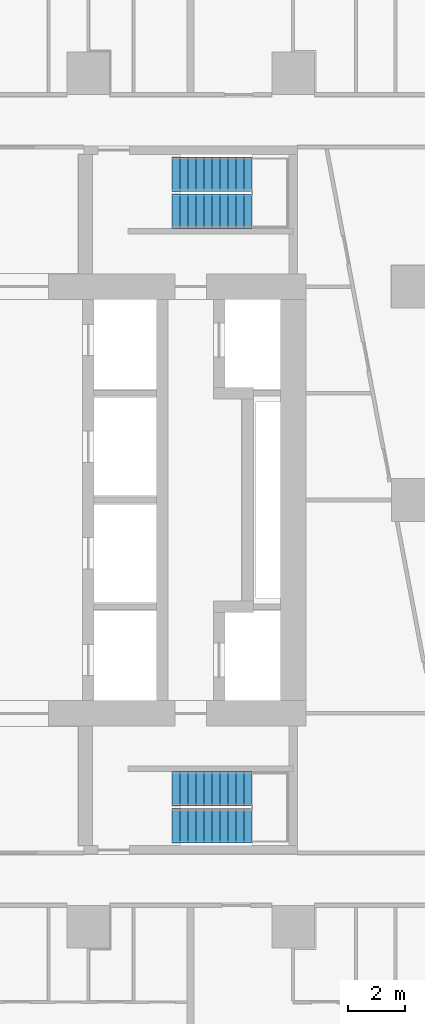
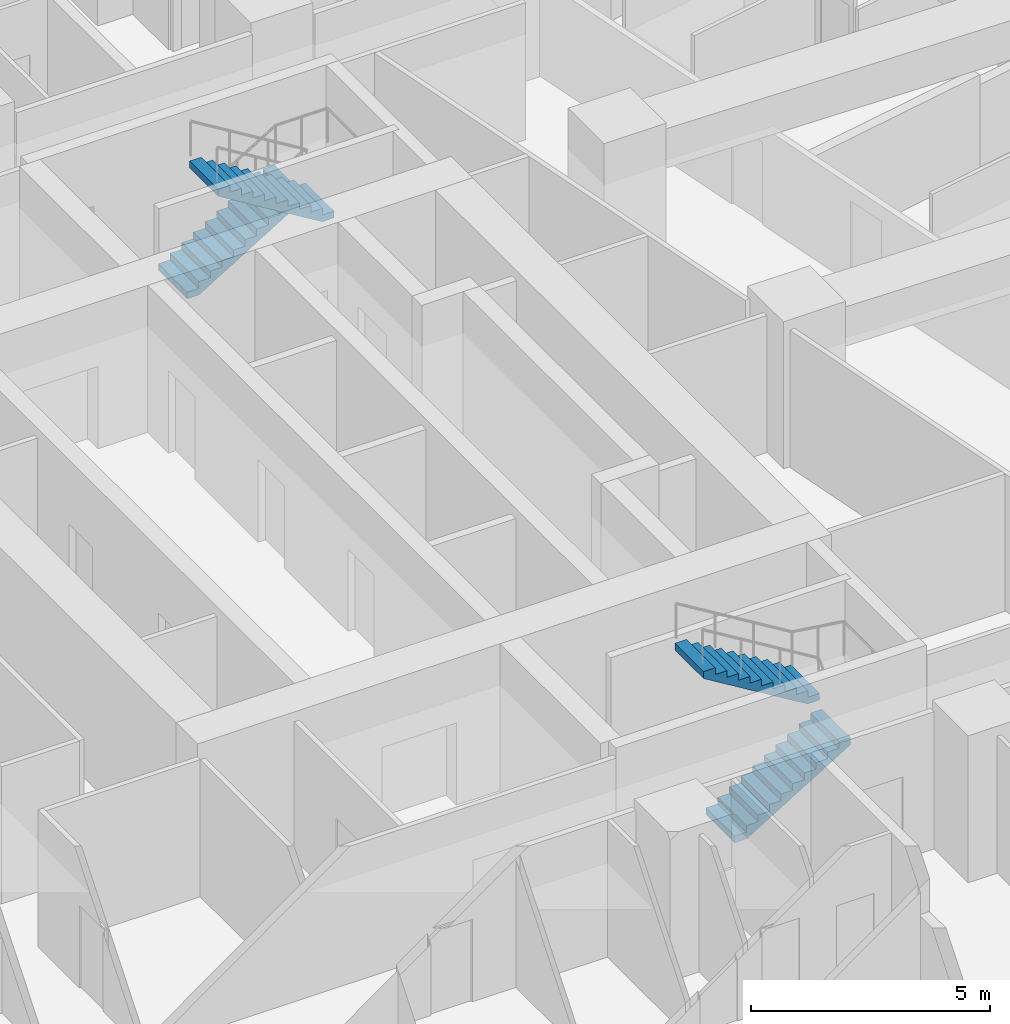
# One storey, part 13 of 15: 4 stair flights, 2 elements without a shape of their own.
"""IFC4 building model written with IfcOpenShell, lengths in metres."""

from ifc_helpers import new_model, si_unit, direction, frame, origin, place, context, subcontext, project, spatial, triangles, material, type_object, element, aggregate, save


model = new_model("IFC4")

# Units and contexts
model_context = context("Model", 3, precision=1e-05, world=origin(), true_north=direction((0.0, 1.0)))
body_context = subcontext(model_context, "Body", "Model", "MODEL_VIEW")
ifc_project = project(units=[si_unit("LENGTHUNIT", "METRE"), si_unit("AREAUNIT", "SQUARE_METRE"), si_unit("VOLUMEUNIT", "CUBIC_METRE"), si_unit("PLANEANGLEUNIT", "RADIAN"), si_unit("MASSUNIT", "GRAM", prefix="KILO")], contexts=[model_context])

# Site, building, storey
site_placement = place(None, origin())
site = spatial("IfcSite", under=ifc_project, at=site_placement, CompositionType="ELEMENT")
building_placement = place(site_placement, origin())
building = spatial("IfcBuilding", under=site, at=building_placement, Name="Sheger Commons Tower", CompositionType="ELEMENT")
storey_placement = place(building_placement, frame((0.0, 0.0, 150.800048828125)))
storey = spatial("IfcBuildingStorey", under=building, at=storey_placement, Name="L38", CompositionType="ELEMENT", Elevation=150.800048828125)

# Stair, stair flights
ifc_material_1 = material(Name="Concrete C35/45", Category="concrete")
stair_type = type_object("IfcStairType", Name="HALF-TURN STAIR 1200 RISE 3750", PredefinedType="HALF_TURN_STAIR", material=ifc_material_1)
stair_1_placement = place(storey_placement, origin())
stair_1 = element("IfcStair", 1, at=stair_1_placement, inside=storey, type_object=stair_type, Name="Stair S1 L38", PredefinedType="HALF_TURN_STAIR")
ifc_material_2 = material(Name="Concrete C35/45", Category="concrete")
stair_flight_type = type_object("IfcStairFlightType", Name="STAIR FLIGHT 1200 11 RISERS OF 170", PredefinedType="STRAIGHT", material=ifc_material_2)
stair_flight_1_placement = place(storey_placement, frame((24.550048828125, 11.050048828125, 0.0), z_axis=(0.0, 0.0, 1.0), x_axis=(1.0, 0.0, 0.0)))
stair_flight_1 = element("IfcStairFlight", 2, at=stair_flight_1_placement, type_object=stair_flight_type, Name="S1 flight 1", NumberOfRisers=11, NumberOfTreads=10, PredefinedType="STRAIGHT", RiserHeight=0.170454545, TreadLength=0.28, context=body_context, shape_type="Tessellation", body=[
    triangles([(0.0, 0.5999755859375, 0.0), (0.0, 0.5999755859375, 0.17041015625), (0.280029296875, 0.5999755859375, 0.17041015625), (0.280029296875, 0.5999755859375, 0.3408203125), (0.56005859375, 0.5999755859375, 0.3408203125), (0.56005859375, 0.5999755859375, 0.511474609375), (0.840087890625, 0.5999755859375, 0.511474609375), (0.840087890625, 0.5999755859375, 0.681884765625), (1.1201171875, 0.5999755859375, 0.681884765625), (1.1201171875, 0.5999755859375, 0.852294921875), (1.39990234375, 0.5999755859375, 0.852294921875), (1.39990234375, 0.5999755859375, 1.022705078125), (1.679931640625, 0.5999755859375, 1.022705078125), (1.679931640625, 0.5999755859375, 1.193115234375), (1.9599609375, 0.5999755859375, 1.193115234375), (1.9599609375, 0.5999755859375, 1.363525390625), (2.239990234375, 0.5999755859375, 1.363525390625), (2.239990234375, 0.5999755859375, 1.5341796875), (2.52001953125, 0.5999755859375, 1.5341796875), (2.52001953125, 0.5999755859375, 1.70458984375), (2.800048828125, 0.5999755859375, 1.70458984375), (2.800048828125, 0.5999755859375, 1.529052734375), (0.288330078125, 0.5999755859375, 0.0), (0.0, -0.5999755859375, 0.0), (0.0, -0.5999755859375, 0.17041015625), (0.280029296875, -0.5999755859375, 0.17041015625), (0.280029296875, -0.5999755859375, 0.3408203125), (0.56005859375, -0.5999755859375, 0.3408203125), (0.56005859375, -0.5999755859375, 0.511474609375), (0.840087890625, -0.5999755859375, 0.511474609375), (0.840087890625, -0.5999755859375, 0.681884765625), (1.1201171875, -0.5999755859375, 0.681884765625), (1.1201171875, -0.5999755859375, 0.852294921875), (1.39990234375, -0.5999755859375, 0.852294921875), (1.39990234375, -0.5999755859375, 1.022705078125), (1.679931640625, -0.5999755859375, 1.022705078125), (1.679931640625, -0.5999755859375, 1.193115234375), (1.9599609375, -0.5999755859375, 1.193115234375), (1.9599609375, -0.5999755859375, 1.363525390625), (2.239990234375, -0.5999755859375, 1.363525390625), (2.239990234375, -0.5999755859375, 1.5341796875), (2.52001953125, -0.5999755859375, 1.5341796875), (2.52001953125, -0.5999755859375, 1.70458984375), (2.800048828125, -0.5999755859375, 1.70458984375), (2.800048828125, -0.5999755859375, 1.529052734375), (0.288330078125, -0.5999755859375, 0.0), (0.0, 0.0, 0.085205078125), (0.1400146484375, 0.0, 0.17041015625), (0.280029296875, 0.0, 0.255615234375), (0.4200439453125, 0.0, 0.3408203125), (0.56005859375, 0.0, 0.4261474609375), (0.7000732421875, 0.0, 0.511474609375), (0.840087890625, 0.0, 0.5966796875), (0.9801025390625, 0.0, 0.681884765625), (1.1201171875, 0.0, 0.76708984375), (1.260009765625, 0.0, 0.852294921875), (1.39990234375, 0.0, 0.9375), (1.5399169921875, 0.0, 1.022705078125), (1.679931640625, 0.0, 1.10791015625), (1.8199462890625, 0.0, 1.193115234375), (1.9599609375, 0.0, 1.2783203125), (2.0999755859375, 0.0, 1.363525390625), (2.239990234375, 0.0, 1.4488525390625), (2.3800048828125, 0.0, 1.5341796875), (2.52001953125, 0.0, 1.619384765625), (2.6600341796875, 0.0, 1.70458984375), (2.800048828125, 0.0, 1.6168212890625), (1.544189453125, 0.0, 0.7645263671875), (0.1441650390625, 0.0, 0.0)], [[1, 22, 23], [24, 46, 45], [22, 20, 21], [45, 44, 43], [22, 19, 20], [45, 43, 42], [22, 18, 19], [45, 42, 41], [22, 17, 18], [45, 41, 40], [17, 15, 16], [40, 39, 38], [22, 15, 17], [45, 40, 38], [15, 13, 14], [38, 37, 36], [22, 13, 15], [45, 38, 36], [13, 11, 12], [36, 35, 34], [22, 11, 13], [45, 36, 34], [11, 9, 10], [34, 33, 32], [22, 9, 11], [45, 34, 32], [9, 7, 8], [32, 31, 30], [22, 7, 9], [45, 32, 30], [7, 5, 6], [30, 29, 28], [22, 5, 7], [45, 30, 28], [5, 3, 4], [28, 27, 26], [22, 3, 5], [45, 28, 26], [1, 3, 22], [24, 45, 26], [3, 1, 2], [26, 25, 24], [1, 47, 2], [2, 47, 25], [25, 47, 24], [24, 47, 1], [2, 48, 3], [3, 48, 26], [26, 48, 25], [25, 48, 2], [3, 49, 4], [4, 49, 27], [27, 49, 26], [26, 49, 3], [4, 50, 5], [5, 50, 28], [28, 50, 27], [27, 50, 4], [5, 51, 6], [6, 51, 29], [29, 51, 28], [28, 51, 5], [6, 52, 7], [7, 52, 30], [30, 52, 29], [29, 52, 6], [7, 53, 8], [8, 53, 31], [31, 53, 30], [30, 53, 7], [8, 54, 9], [9, 54, 32], [32, 54, 31], [31, 54, 8], [9, 55, 10], [10, 55, 33], [33, 55, 32], [32, 55, 9], [10, 56, 11], [11, 56, 34], [34, 56, 33], [33, 56, 10], [11, 57, 12], [12, 57, 35], [35, 57, 34], [34, 57, 11], [12, 58, 13], [13, 58, 36], [36, 58, 35], [35, 58, 12], [13, 59, 14], [14, 59, 37], [37, 59, 36], [36, 59, 13], [14, 60, 15], [15, 60, 38], [38, 60, 37], [37, 60, 14], [15, 61, 16], [16, 61, 39], [39, 61, 38], [38, 61, 15], [16, 62, 17], [17, 62, 40], [40, 62, 39], [39, 62, 16], [17, 63, 18], [18, 63, 41], [41, 63, 40], [40, 63, 17], [18, 64, 19], [19, 64, 42], [42, 64, 41], [41, 64, 18], [19, 65, 20], [20, 65, 43], [43, 65, 42], [42, 65, 19], [20, 66, 21], [21, 66, 44], [44, 66, 43], [43, 66, 20], [21, 67, 22], [22, 67, 45], [45, 67, 44], [44, 67, 21], [22, 68, 23], [23, 68, 46], [46, 68, 45], [45, 68, 22], [23, 69, 1], [1, 69, 24], [24, 69, 46], [46, 69, 23]], closed=True),
])
stair_flight_2_placement = place(storey_placement, frame((27.35009765625, 12.35009765625, 1.875), z_axis=(0.0, 0.0, 1.0), x_axis=(-1.0, 0.0, 0.0)))
stair_flight_2 = element("IfcStairFlight", 3, at=stair_flight_2_placement, type_object=stair_flight_type, Name="S1 flight 2", NumberOfRisers=11, NumberOfTreads=10, PredefinedType="STRAIGHT", RiserHeight=0.170454545, TreadLength=0.28, context=body_context, shape_type="Tessellation", body=[
    triangles([(0.0, 0.5999755859375, 0.0), (0.0, 0.5999755859375, 0.17041015625), (0.280029296875, 0.5999755859375, 0.17041015625), (0.280029296875, 0.5999755859375, 0.3408203125), (0.56005859375, 0.5999755859375, 0.3408203125), (0.56005859375, 0.5999755859375, 0.511474609375), (0.840087890625, 0.5999755859375, 0.511474609375), (0.840087890625, 0.5999755859375, 0.681884765625), (1.1201171875, 0.5999755859375, 0.681884765625), (1.1201171875, 0.5999755859375, 0.852294921875), (1.39990234375, 0.5999755859375, 0.852294921875), (1.39990234375, 0.5999755859375, 1.022705078125), (1.679931640625, 0.5999755859375, 1.022705078125), (1.679931640625, 0.5999755859375, 1.193115234375), (1.9599609375, 0.5999755859375, 1.193115234375), (1.9599609375, 0.5999755859375, 1.363525390625), (2.239990234375, 0.5999755859375, 1.363525390625), (2.239990234375, 0.5999755859375, 1.5341796875), (2.52001953125, 0.5999755859375, 1.5341796875), (2.52001953125, 0.5999755859375, 1.70458984375), (2.800048828125, 0.5999755859375, 1.70458984375), (2.800048828125, 0.5999755859375, 1.529052734375), (0.288330078125, 0.5999755859375, 0.0), (0.0, -0.5999755859375, 0.0), (0.0, -0.5999755859375, 0.17041015625), (0.280029296875, -0.5999755859375, 0.17041015625), (0.280029296875, -0.5999755859375, 0.3408203125), (0.56005859375, -0.5999755859375, 0.3408203125), (0.56005859375, -0.5999755859375, 0.511474609375), (0.840087890625, -0.5999755859375, 0.511474609375), (0.840087890625, -0.5999755859375, 0.681884765625), (1.1201171875, -0.5999755859375, 0.681884765625), (1.1201171875, -0.5999755859375, 0.852294921875), (1.39990234375, -0.5999755859375, 0.852294921875), (1.39990234375, -0.5999755859375, 1.022705078125), (1.679931640625, -0.5999755859375, 1.022705078125), (1.679931640625, -0.5999755859375, 1.193115234375), (1.9599609375, -0.5999755859375, 1.193115234375), (1.9599609375, -0.5999755859375, 1.363525390625), (2.239990234375, -0.5999755859375, 1.363525390625), (2.239990234375, -0.5999755859375, 1.5341796875), (2.52001953125, -0.5999755859375, 1.5341796875), (2.52001953125, -0.5999755859375, 1.70458984375), (2.800048828125, -0.5999755859375, 1.70458984375), (2.800048828125, -0.5999755859375, 1.529052734375), (0.288330078125, -0.5999755859375, 0.0), (0.0, 0.0, 0.085205078125), (0.1400146484375, 0.0, 0.17041015625), (0.280029296875, 0.0, 0.255615234375), (0.4200439453125, 0.0, 0.3408203125), (0.56005859375, 0.0, 0.4261474609375), (0.7000732421875, 0.0, 0.511474609375), (0.840087890625, 0.0, 0.5966796875), (0.9801025390625, 0.0, 0.681884765625), (1.1201171875, 0.0, 0.76708984375), (1.260009765625, 0.0, 0.852294921875), (1.39990234375, 0.0, 0.9375), (1.5399169921875, 0.0, 1.022705078125), (1.679931640625, 0.0, 1.10791015625), (1.8199462890625, 0.0, 1.193115234375), (1.9599609375, 0.0, 1.2783203125), (2.0999755859375, 0.0, 1.363525390625), (2.239990234375, 0.0, 1.4488525390625), (2.3800048828125, 0.0, 1.5341796875), (2.52001953125, 0.0, 1.619384765625), (2.6600341796875, 0.0, 1.70458984375), (2.800048828125, 0.0, 1.6168212890625), (1.544189453125, 0.0, 0.7645263671875), (0.1441650390625, 0.0, 0.0)], [[1, 22, 23], [24, 46, 45], [22, 20, 21], [45, 44, 43], [22, 19, 20], [45, 43, 42], [22, 18, 19], [45, 42, 41], [22, 17, 18], [45, 41, 40], [17, 15, 16], [40, 39, 38], [22, 15, 17], [45, 40, 38], [15, 13, 14], [38, 37, 36], [22, 13, 15], [45, 38, 36], [13, 11, 12], [36, 35, 34], [22, 11, 13], [45, 36, 34], [11, 9, 10], [34, 33, 32], [22, 9, 11], [45, 34, 32], [9, 7, 8], [32, 31, 30], [22, 7, 9], [45, 32, 30], [7, 5, 6], [30, 29, 28], [22, 5, 7], [45, 30, 28], [5, 3, 4], [28, 27, 26], [22, 3, 5], [45, 28, 26], [1, 3, 22], [24, 45, 26], [3, 1, 2], [26, 25, 24], [1, 47, 2], [2, 47, 25], [25, 47, 24], [24, 47, 1], [2, 48, 3], [3, 48, 26], [26, 48, 25], [25, 48, 2], [3, 49, 4], [4, 49, 27], [27, 49, 26], [26, 49, 3], [4, 50, 5], [5, 50, 28], [28, 50, 27], [27, 50, 4], [5, 51, 6], [6, 51, 29], [29, 51, 28], [28, 51, 5], [6, 52, 7], [7, 52, 30], [30, 52, 29], [29, 52, 6], [7, 53, 8], [8, 53, 31], [31, 53, 30], [30, 53, 7], [8, 54, 9], [9, 54, 32], [32, 54, 31], [31, 54, 8], [9, 55, 10], [10, 55, 33], [33, 55, 32], [32, 55, 9], [10, 56, 11], [11, 56, 34], [34, 56, 33], [33, 56, 10], [11, 57, 12], [12, 57, 35], [35, 57, 34], [34, 57, 11], [12, 58, 13], [13, 58, 36], [36, 58, 35], [35, 58, 12], [13, 59, 14], [14, 59, 37], [37, 59, 36], [36, 59, 13], [14, 60, 15], [15, 60, 38], [38, 60, 37], [37, 60, 14], [15, 61, 16], [16, 61, 39], [39, 61, 38], [38, 61, 15], [16, 62, 17], [17, 62, 40], [40, 62, 39], [39, 62, 16], [17, 63, 18], [18, 63, 41], [41, 63, 40], [40, 63, 17], [18, 64, 19], [19, 64, 42], [42, 64, 41], [41, 64, 18], [19, 65, 20], [20, 65, 43], [43, 65, 42], [42, 65, 19], [20, 66, 21], [21, 66, 44], [44, 66, 43], [43, 66, 20], [21, 67, 22], [22, 67, 45], [45, 67, 44], [44, 67, 21], [22, 68, 23], [23, 68, 46], [46, 68, 45], [45, 68, 22], [23, 69, 1], [1, 69, 24], [24, 69, 46], [46, 69, 23]], closed=True),
])
aggregate(stair_1, [stair_flight_1, stair_flight_2])

stair_2_placement = place(storey_placement, origin())
stair_2 = element("IfcStair", 4, at=stair_2_placement, inside=storey, type_object=stair_type, Name="Stair S2 L38", PredefinedType="HALF_TURN_STAIR")
stair_flight_3_placement = place(storey_placement, frame((24.550048828125, 33.949951171875, 0.0), z_axis=(0.0, 0.0, 1.0), x_axis=(1.0, 0.0, 0.0)))
stair_flight_3 = element("IfcStairFlight", 5, at=stair_flight_3_placement, type_object=stair_flight_type, Name="S2 flight 1", NumberOfRisers=11, NumberOfTreads=10, PredefinedType="STRAIGHT", RiserHeight=0.170454545, TreadLength=0.28, context=body_context, shape_type="Tessellation", body=[
    triangles([(0.0, 0.5999755859375, 0.0), (0.0, 0.5999755859375, 0.17041015625), (0.280029296875, 0.5999755859375, 0.17041015625), (0.280029296875, 0.5999755859375, 0.3408203125), (0.56005859375, 0.5999755859375, 0.3408203125), (0.56005859375, 0.5999755859375, 0.511474609375), (0.840087890625, 0.5999755859375, 0.511474609375), (0.840087890625, 0.5999755859375, 0.681884765625), (1.1201171875, 0.5999755859375, 0.681884765625), (1.1201171875, 0.5999755859375, 0.852294921875), (1.39990234375, 0.5999755859375, 0.852294921875), (1.39990234375, 0.5999755859375, 1.022705078125), (1.679931640625, 0.5999755859375, 1.022705078125), (1.679931640625, 0.5999755859375, 1.193115234375), (1.9599609375, 0.5999755859375, 1.193115234375), (1.9599609375, 0.5999755859375, 1.363525390625), (2.239990234375, 0.5999755859375, 1.363525390625), (2.239990234375, 0.5999755859375, 1.5341796875), (2.52001953125, 0.5999755859375, 1.5341796875), (2.52001953125, 0.5999755859375, 1.70458984375), (2.800048828125, 0.5999755859375, 1.70458984375), (2.800048828125, 0.5999755859375, 1.529052734375), (0.288330078125, 0.5999755859375, 0.0), (0.0, -0.5999755859375, 0.0), (0.0, -0.5999755859375, 0.17041015625), (0.280029296875, -0.5999755859375, 0.17041015625), (0.280029296875, -0.5999755859375, 0.3408203125), (0.56005859375, -0.5999755859375, 0.3408203125), (0.56005859375, -0.5999755859375, 0.511474609375), (0.840087890625, -0.5999755859375, 0.511474609375), (0.840087890625, -0.5999755859375, 0.681884765625), (1.1201171875, -0.5999755859375, 0.681884765625), (1.1201171875, -0.5999755859375, 0.852294921875), (1.39990234375, -0.5999755859375, 0.852294921875), (1.39990234375, -0.5999755859375, 1.022705078125), (1.679931640625, -0.5999755859375, 1.022705078125), (1.679931640625, -0.5999755859375, 1.193115234375), (1.9599609375, -0.5999755859375, 1.193115234375), (1.9599609375, -0.5999755859375, 1.363525390625), (2.239990234375, -0.5999755859375, 1.363525390625), (2.239990234375, -0.5999755859375, 1.5341796875), (2.52001953125, -0.5999755859375, 1.5341796875), (2.52001953125, -0.5999755859375, 1.70458984375), (2.800048828125, -0.5999755859375, 1.70458984375), (2.800048828125, -0.5999755859375, 1.529052734375), (0.288330078125, -0.5999755859375, 0.0), (0.0, 0.0, 0.085205078125), (0.1400146484375, 0.0, 0.17041015625), (0.280029296875, 0.0, 0.255615234375), (0.4200439453125, 0.0, 0.3408203125), (0.56005859375, 0.0, 0.4261474609375), (0.7000732421875, 0.0, 0.511474609375), (0.840087890625, 0.0, 0.5966796875), (0.9801025390625, 0.0, 0.681884765625), (1.1201171875, 0.0, 0.76708984375), (1.260009765625, 0.0, 0.852294921875), (1.39990234375, 0.0, 0.9375), (1.5399169921875, 0.0, 1.022705078125), (1.679931640625, 0.0, 1.10791015625), (1.8199462890625, 0.0, 1.193115234375), (1.9599609375, 0.0, 1.2783203125), (2.0999755859375, 0.0, 1.363525390625), (2.239990234375, 0.0, 1.4488525390625), (2.3800048828125, 0.0, 1.5341796875), (2.52001953125, 0.0, 1.619384765625), (2.6600341796875, 0.0, 1.70458984375), (2.800048828125, 0.0, 1.6168212890625), (1.544189453125, 0.0, 0.7645263671875), (0.1441650390625, 0.0, 0.0)], [[1, 22, 23], [24, 46, 45], [22, 20, 21], [45, 44, 43], [22, 19, 20], [45, 43, 42], [22, 18, 19], [45, 42, 41], [22, 17, 18], [45, 41, 40], [17, 15, 16], [40, 39, 38], [22, 15, 17], [45, 40, 38], [15, 13, 14], [38, 37, 36], [22, 13, 15], [45, 38, 36], [13, 11, 12], [36, 35, 34], [22, 11, 13], [45, 36, 34], [11, 9, 10], [34, 33, 32], [22, 9, 11], [45, 34, 32], [9, 7, 8], [32, 31, 30], [22, 7, 9], [45, 32, 30], [7, 5, 6], [30, 29, 28], [22, 5, 7], [45, 30, 28], [5, 3, 4], [28, 27, 26], [22, 3, 5], [45, 28, 26], [1, 3, 22], [24, 45, 26], [3, 1, 2], [26, 25, 24], [1, 47, 2], [2, 47, 25], [25, 47, 24], [24, 47, 1], [2, 48, 3], [3, 48, 26], [26, 48, 25], [25, 48, 2], [3, 49, 4], [4, 49, 27], [27, 49, 26], [26, 49, 3], [4, 50, 5], [5, 50, 28], [28, 50, 27], [27, 50, 4], [5, 51, 6], [6, 51, 29], [29, 51, 28], [28, 51, 5], [6, 52, 7], [7, 52, 30], [30, 52, 29], [29, 52, 6], [7, 53, 8], [8, 53, 31], [31, 53, 30], [30, 53, 7], [8, 54, 9], [9, 54, 32], [32, 54, 31], [31, 54, 8], [9, 55, 10], [10, 55, 33], [33, 55, 32], [32, 55, 9], [10, 56, 11], [11, 56, 34], [34, 56, 33], [33, 56, 10], [11, 57, 12], [12, 57, 35], [35, 57, 34], [34, 57, 11], [12, 58, 13], [13, 58, 36], [36, 58, 35], [35, 58, 12], [13, 59, 14], [14, 59, 37], [37, 59, 36], [36, 59, 13], [14, 60, 15], [15, 60, 38], [38, 60, 37], [37, 60, 14], [15, 61, 16], [16, 61, 39], [39, 61, 38], [38, 61, 15], [16, 62, 17], [17, 62, 40], [40, 62, 39], [39, 62, 16], [17, 63, 18], [18, 63, 41], [41, 63, 40], [40, 63, 17], [18, 64, 19], [19, 64, 42], [42, 64, 41], [41, 64, 18], [19, 65, 20], [20, 65, 43], [43, 65, 42], [42, 65, 19], [20, 66, 21], [21, 66, 44], [44, 66, 43], [43, 66, 20], [21, 67, 22], [22, 67, 45], [45, 67, 44], [44, 67, 21], [22, 68, 23], [23, 68, 46], [46, 68, 45], [45, 68, 22], [23, 69, 1], [1, 69, 24], [24, 69, 46], [46, 69, 23]], closed=True),
])
stair_flight_4_placement = place(storey_placement, frame((27.35009765625, 32.64990234375, 1.875), z_axis=(0.0, 0.0, 1.0), x_axis=(-1.0, 0.0, 0.0)))
stair_flight_4 = element("IfcStairFlight", 6, at=stair_flight_4_placement, type_object=stair_flight_type, Name="S2 flight 2", NumberOfRisers=11, NumberOfTreads=10, PredefinedType="STRAIGHT", RiserHeight=0.170454545, TreadLength=0.28, context=body_context, shape_type="Tessellation", body=[
    triangles([(0.0, 0.5999755859375, 0.0), (0.0, 0.5999755859375, 0.17041015625), (0.280029296875, 0.5999755859375, 0.17041015625), (0.280029296875, 0.5999755859375, 0.3408203125), (0.56005859375, 0.5999755859375, 0.3408203125), (0.56005859375, 0.5999755859375, 0.511474609375), (0.840087890625, 0.5999755859375, 0.511474609375), (0.840087890625, 0.5999755859375, 0.681884765625), (1.1201171875, 0.5999755859375, 0.681884765625), (1.1201171875, 0.5999755859375, 0.852294921875), (1.39990234375, 0.5999755859375, 0.852294921875), (1.39990234375, 0.5999755859375, 1.022705078125), (1.679931640625, 0.5999755859375, 1.022705078125), (1.679931640625, 0.5999755859375, 1.193115234375), (1.9599609375, 0.5999755859375, 1.193115234375), (1.9599609375, 0.5999755859375, 1.363525390625), (2.239990234375, 0.5999755859375, 1.363525390625), (2.239990234375, 0.5999755859375, 1.5341796875), (2.52001953125, 0.5999755859375, 1.5341796875), (2.52001953125, 0.5999755859375, 1.70458984375), (2.800048828125, 0.5999755859375, 1.70458984375), (2.800048828125, 0.5999755859375, 1.529052734375), (0.288330078125, 0.5999755859375, 0.0), (0.0, -0.5999755859375, 0.0), (0.0, -0.5999755859375, 0.17041015625), (0.280029296875, -0.5999755859375, 0.17041015625), (0.280029296875, -0.5999755859375, 0.3408203125), (0.56005859375, -0.5999755859375, 0.3408203125), (0.56005859375, -0.5999755859375, 0.511474609375), (0.840087890625, -0.5999755859375, 0.511474609375), (0.840087890625, -0.5999755859375, 0.681884765625), (1.1201171875, -0.5999755859375, 0.681884765625), (1.1201171875, -0.5999755859375, 0.852294921875), (1.39990234375, -0.5999755859375, 0.852294921875), (1.39990234375, -0.5999755859375, 1.022705078125), (1.679931640625, -0.5999755859375, 1.022705078125), (1.679931640625, -0.5999755859375, 1.193115234375), (1.9599609375, -0.5999755859375, 1.193115234375), (1.9599609375, -0.5999755859375, 1.363525390625), (2.239990234375, -0.5999755859375, 1.363525390625), (2.239990234375, -0.5999755859375, 1.5341796875), (2.52001953125, -0.5999755859375, 1.5341796875), (2.52001953125, -0.5999755859375, 1.70458984375), (2.800048828125, -0.5999755859375, 1.70458984375), (2.800048828125, -0.5999755859375, 1.529052734375), (0.288330078125, -0.5999755859375, 0.0), (0.0, 0.0, 0.085205078125), (0.1400146484375, 0.0, 0.17041015625), (0.280029296875, 0.0, 0.255615234375), (0.4200439453125, 0.0, 0.3408203125), (0.56005859375, 0.0, 0.4261474609375), (0.7000732421875, 0.0, 0.511474609375), (0.840087890625, 0.0, 0.5966796875), (0.9801025390625, 0.0, 0.681884765625), (1.1201171875, 0.0, 0.76708984375), (1.260009765625, 0.0, 0.852294921875), (1.39990234375, 0.0, 0.9375), (1.5399169921875, 0.0, 1.022705078125), (1.679931640625, 0.0, 1.10791015625), (1.8199462890625, 0.0, 1.193115234375), (1.9599609375, 0.0, 1.2783203125), (2.0999755859375, 0.0, 1.363525390625), (2.239990234375, 0.0, 1.4488525390625), (2.3800048828125, 0.0, 1.5341796875), (2.52001953125, 0.0, 1.619384765625), (2.6600341796875, 0.0, 1.70458984375), (2.800048828125, 0.0, 1.6168212890625), (1.544189453125, 0.0, 0.7645263671875), (0.1441650390625, 0.0, 0.0)], [[1, 22, 23], [24, 46, 45], [22, 20, 21], [45, 44, 43], [22, 19, 20], [45, 43, 42], [22, 18, 19], [45, 42, 41], [22, 17, 18], [45, 41, 40], [17, 15, 16], [40, 39, 38], [22, 15, 17], [45, 40, 38], [15, 13, 14], [38, 37, 36], [22, 13, 15], [45, 38, 36], [13, 11, 12], [36, 35, 34], [22, 11, 13], [45, 36, 34], [11, 9, 10], [34, 33, 32], [22, 9, 11], [45, 34, 32], [9, 7, 8], [32, 31, 30], [22, 7, 9], [45, 32, 30], [7, 5, 6], [30, 29, 28], [22, 5, 7], [45, 30, 28], [5, 3, 4], [28, 27, 26], [22, 3, 5], [45, 28, 26], [1, 3, 22], [24, 45, 26], [3, 1, 2], [26, 25, 24], [1, 47, 2], [2, 47, 25], [25, 47, 24], [24, 47, 1], [2, 48, 3], [3, 48, 26], [26, 48, 25], [25, 48, 2], [3, 49, 4], [4, 49, 27], [27, 49, 26], [26, 49, 3], [4, 50, 5], [5, 50, 28], [28, 50, 27], [27, 50, 4], [5, 51, 6], [6, 51, 29], [29, 51, 28], [28, 51, 5], [6, 52, 7], [7, 52, 30], [30, 52, 29], [29, 52, 6], [7, 53, 8], [8, 53, 31], [31, 53, 30], [30, 53, 7], [8, 54, 9], [9, 54, 32], [32, 54, 31], [31, 54, 8], [9, 55, 10], [10, 55, 33], [33, 55, 32], [32, 55, 9], [10, 56, 11], [11, 56, 34], [34, 56, 33], [33, 56, 10], [11, 57, 12], [12, 57, 35], [35, 57, 34], [34, 57, 11], [12, 58, 13], [13, 58, 36], [36, 58, 35], [35, 58, 12], [13, 59, 14], [14, 59, 37], [37, 59, 36], [36, 59, 13], [14, 60, 15], [15, 60, 38], [38, 60, 37], [37, 60, 14], [15, 61, 16], [16, 61, 39], [39, 61, 38], [38, 61, 15], [16, 62, 17], [17, 62, 40], [40, 62, 39], [39, 62, 16], [17, 63, 18], [18, 63, 41], [41, 63, 40], [40, 63, 17], [18, 64, 19], [19, 64, 42], [42, 64, 41], [41, 64, 18], [19, 65, 20], [20, 65, 43], [43, 65, 42], [42, 65, 19], [20, 66, 21], [21, 66, 44], [44, 66, 43], [43, 66, 20], [21, 67, 22], [22, 67, 45], [45, 67, 44], [44, 67, 21], [22, 68, 23], [23, 68, 46], [46, 68, 45], [45, 68, 22], [23, 69, 1], [1, 69, 24], [24, 69, 46], [46, 69, 23]], closed=True),
])
aggregate(stair_2, [stair_flight_3, stair_flight_4])

save(model, "model.ifc")
